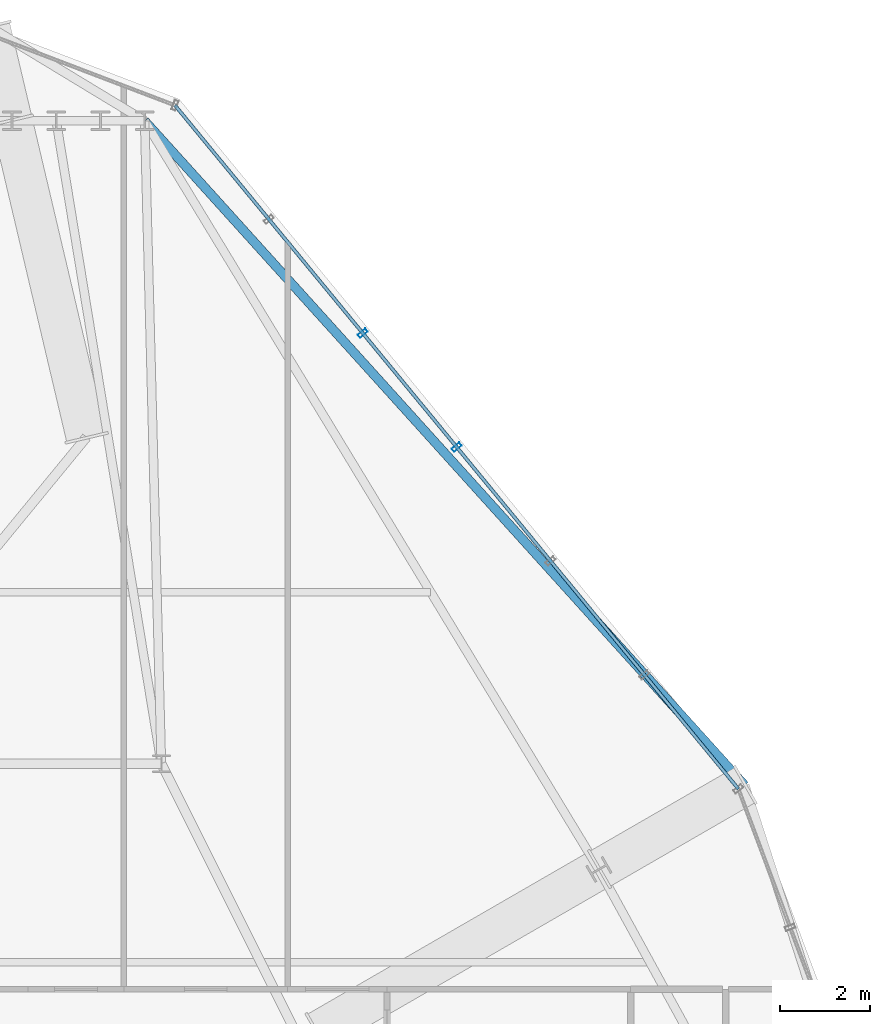
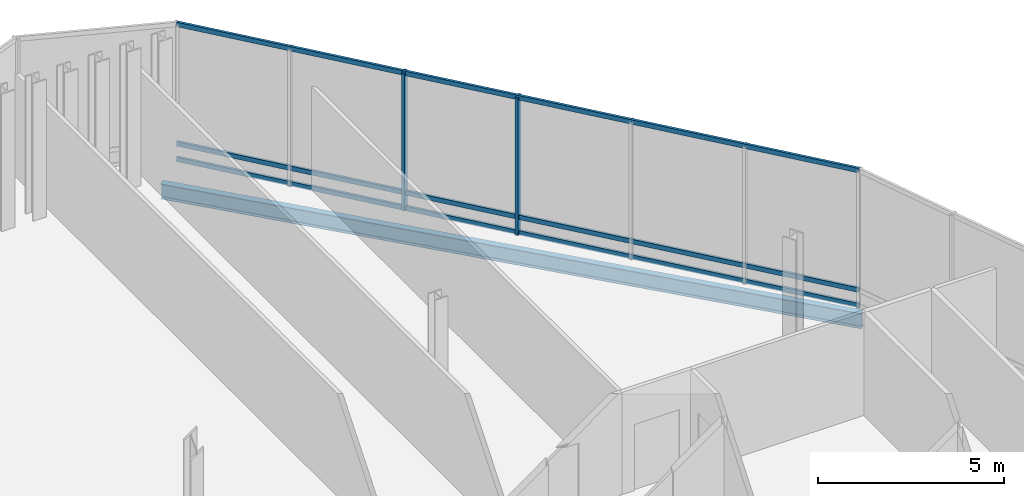
# One storey, part 20 of 29: 5 members, 1 beam, 1 element without a shape of its own.
"""IFC4 building model written with IfcOpenShell, lengths in metres."""

from ifc_helpers import new_model, si_unit, direction, frame, origin, origin_2d, place, context, subcontext, project, spatial, hollow_rectangle, i_section, extrude, material, layer, layer_set, material_profile, profile_set, type_object, element, aggregate, save


model = new_model("IFC4")

# Units and contexts
model_context = context("Model", 3, precision=1e-05, world=origin(), true_north=direction((0.0, 1.0)))
body_context = subcontext(model_context, "Body", "Model", "MODEL_VIEW")
ifc_project = project(units=[si_unit("LENGTHUNIT", "METRE"), si_unit("AREAUNIT", "SQUARE_METRE"), si_unit("VOLUMEUNIT", "CUBIC_METRE"), si_unit("PLANEANGLEUNIT", "RADIAN"), si_unit("MASSUNIT", "GRAM", prefix="KILO")], contexts=[model_context])

# Site, building, storey
site_placement = place(None, origin())
site = spatial("IfcSite", under=ifc_project, at=site_placement, CompositionType="ELEMENT")
building_placement = place(site_placement, origin())
building = spatial("IfcBuilding", under=site, at=building_placement, Name="Ndaravel Arena Tower", CompositionType="ELEMENT")
storey_placement = place(building_placement, frame((0.0, 0.0, 208.39990234375)))
storey = spatial("IfcBuildingStorey", under=building, at=storey_placement, Name="L50", CompositionType="ELEMENT", Elevation=208.39990234375)

# Beam
ifc_material_1 = material(Name="Steel S355", Category="steel")
ifc_material_profile_1 = material_profile(ifc_material_1, i_section(OverallWidth=0.199951171875, OverallDepth=0.5, WebThickness=0.01025390625, FlangeThickness=0.01611328125, FilletRadius=0.02099609375, at=origin_2d()), Name="IPE 500")
ifc_profile_set_1 = profile_set([ifc_material_profile_1], Name="Steel S355")
beam_type = type_object("IfcBeamType", Name="BM-SPAN-IPE500", PredefinedType="SPANDREL", material=ifc_profile_set_1)
beam_placement = place(storey_placement, frame((58.727783203125, 30.7236328125, -0.52978515625), z_axis=(-0.670281447872, 0.742106987327, 0.0), x_axis=(-0.742106987327, -0.670281447872, 0.0)))
element("IfcBeam", 1, at=beam_placement, inside=storey, type_object=beam_type, Name="L50 Star Facet Edge Beam SEB-4", PredefinedType="SPANDREL", context=body_context, shape_type="SweptSolid", body=[
    extrude(i_section(OverallWidth=0.199951171875, OverallDepth=0.5, WebThickness=0.01025390625, FlangeThickness=0.01611328125, FilletRadius=0.02099609375, at=origin_2d()), origin(), (0.0, 0.0, 1.0), 19.8369140625),
])

# Curtain wall, members
ifc_material_2 = material(Name="Aluminium", Category="aluminium")
ifc_layer = layer(ifc_material_2, 0.179931640625)
ifc_layer_set = layer_set([ifc_layer], Name="Aluminium")
curtain_wall_type = type_object("IfcCurtainWallType", Name="CW-SYS-04", PredefinedType="NOTDEFINED", material=ifc_layer_set)
curtain_wall_placement = place(storey_placement, origin())
curtain_wall = element("IfcCurtainWall", 2, at=curtain_wall_placement, inside=storey, type_object=curtain_wall_type, Name="L50 Faceted Crystal Curtain Wall CW-L50-E07", PredefinedType="NOTDEFINED")
ifc_material_3 = material(Name="Aluminium", Category="aluminium")
ifc_material_profile_2 = material_profile(ifc_material_3, hollow_rectangle(XDim=0.090087890625, YDim=0.219970703125, WallThickness=0.0048828125, at=origin_2d()), Name="CW MULLION 90x220x5")
ifc_profile_set_2 = profile_set([ifc_material_profile_2], Name="Aluminium")
member_type_1 = type_object("IfcMemberType", Name="MEM-CW-MUL220", PredefinedType="MULLION", material=ifc_profile_set_2)
member_1_placement = place(storey_placement, frame((52.344970703125, 38.216552734375, 0.0), z_axis=(0.0, 0.0, 1.0), x_axis=(-0.636024349169, 0.771668988144, 0.0)))
member_1 = element("IfcMember", 3, at=member_1_placement, type_object=member_type_1, Name="CW-L50-E07 Mullion 03", PredefinedType="MULLION", context=body_context, shape_type="SweptSolid", body=[
    extrude(hollow_rectangle(XDim=0.090087890625, YDim=0.219970703125, WallThickness=0.0048828125, at=origin_2d()), origin(), (0.0, 0.0, 1.0), 4.52001953125),
])
member_2_placement = place(storey_placement, frame((50.263916015625, 40.7412109375, 0.0), z_axis=(0.0, 0.0, 1.0), x_axis=(-0.636024349169, 0.771668988144, 0.0)))
member_2 = element("IfcMember", 4, at=member_2_placement, type_object=member_type_1, Name="CW-L50-E07 Mullion 04", PredefinedType="MULLION", context=body_context, shape_type="SweptSolid", body=[
    extrude(hollow_rectangle(XDim=0.090087890625, YDim=0.219970703125, WallThickness=0.0048828125, at=origin_2d()), origin(), (0.0, 0.0, 1.0), 4.52001953125),
])
ifc_material_4 = material(Name="Aluminium", Category="aluminium")
ifc_material_profile_3 = material_profile(ifc_material_4, hollow_rectangle(XDim=0.074951171875, YDim=0.14990234375, WallThickness=0.00390625, at=origin_2d()), Name="CW TRANSOM 75x150x4")
ifc_profile_set_3 = profile_set([ifc_material_profile_3], Name="Aluminium")
member_type_2 = type_object("IfcMemberType", Name="MEM-CW-TRN150", PredefinedType="USERDEFINED", material=ifc_profile_set_3)
member_3_placement = place(storey_placement, frame((58.58740234375, 30.642578125, 0.0400390625), z_axis=(-0.636026745069, 0.771667013391, 0.0), x_axis=(-0.771667013391, -0.636026745069, 0.0)))
member_3 = element("IfcMember", 5, at=member_3_placement, type_object=member_type_2, Name="CW-L50-E07 Transom 01", ObjectType="TRANSOM", PredefinedType="USERDEFINED", context=body_context, shape_type="SweptSolid", body=[
    extrude(hollow_rectangle(XDim=0.074951171875, YDim=0.14990234375, WallThickness=0.00390625, at=origin_2d()), origin(), (0.0, 0.0, 1.0), 19.6298828125),
])
member_4_placement = place(storey_placement, frame((58.58740234375, 30.642578125, 0.550048828125), z_axis=(-0.636026745069, 0.771667013391, 0.0), x_axis=(-0.771667013391, -0.636026745069, 0.0)))
member_4 = element("IfcMember", 6, at=member_4_placement, type_object=member_type_2, Name="CW-L50-E07 Transom 02", ObjectType="TRANSOM", PredefinedType="USERDEFINED", context=body_context, shape_type="SweptSolid", body=[
    extrude(hollow_rectangle(XDim=0.074951171875, YDim=0.14990234375, WallThickness=0.00390625, at=origin_2d()), origin(), (0.0, 0.0, 1.0), 19.6298828125),
])
member_5_placement = place(storey_placement, frame((58.58740234375, 30.642578125, 4.47998046875), z_axis=(-0.636026745069, 0.771667013391, 0.0), x_axis=(-0.771667013391, -0.636026745069, 0.0)))
member_5 = element("IfcMember", 7, at=member_5_placement, type_object=member_type_2, Name="CW-L50-E07 Transom 03", ObjectType="TRANSOM", PredefinedType="USERDEFINED", context=body_context, shape_type="SweptSolid", body=[
    extrude(hollow_rectangle(XDim=0.074951171875, YDim=0.14990234375, WallThickness=0.00390625, at=origin_2d()), origin(), (0.0, 0.0, 1.0), 19.6298828125),
])
aggregate(curtain_wall, [member_1, member_2, member_3, member_4, member_5])

save(model, "model.ifc")
